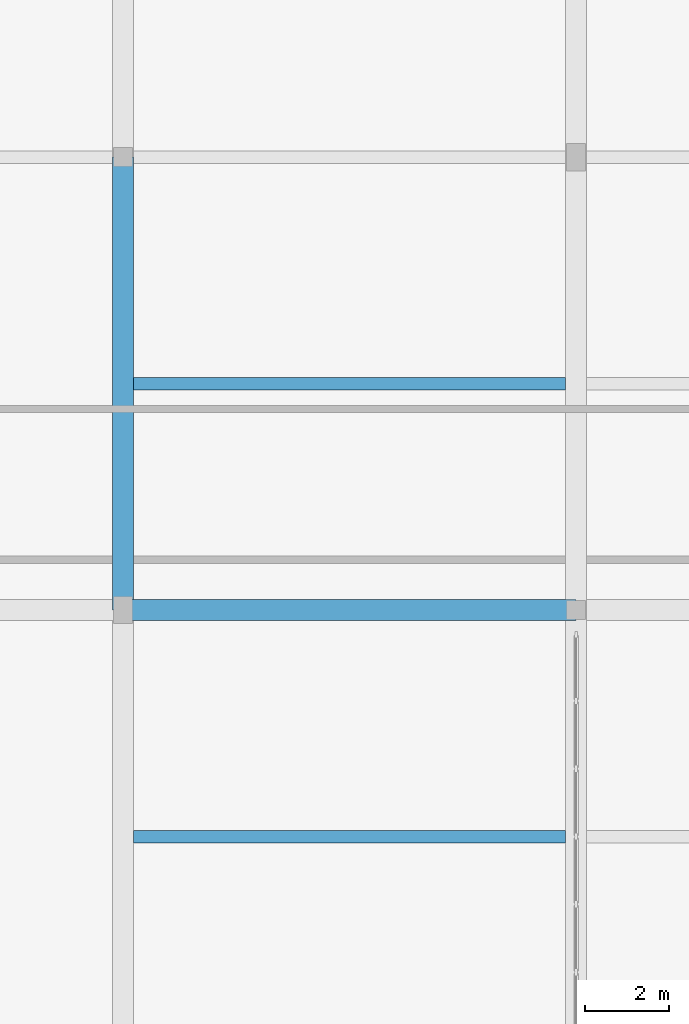
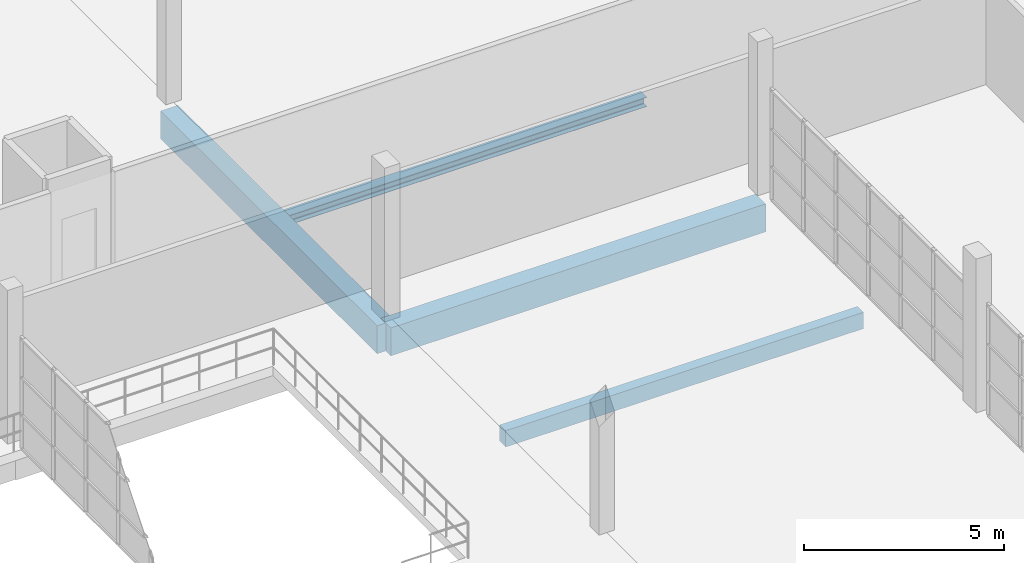
# One storey, part 33 of 142: 4 beams.
"""IFC4 building model written with IfcOpenShell, lengths in metres."""

from ifc_helpers import new_model, si_unit, direction, frame, origin, origin_2d, place, context, subcontext, project, spatial, rectangle, i_section, extrude, material, material_profile, profile_set, type_object, element, save


model = new_model("IFC4")

# Units and contexts
model_context = context("Model", 3, precision=1e-05, world=origin(), true_north=direction((0.0, 1.0)))
body_context = subcontext(model_context, "Body", "Model", "MODEL_VIEW")
ifc_project = project(units=[si_unit("LENGTHUNIT", "METRE"), si_unit("AREAUNIT", "SQUARE_METRE"), si_unit("VOLUMEUNIT", "CUBIC_METRE"), si_unit("PLANEANGLEUNIT", "RADIAN"), si_unit("MASSUNIT", "GRAM", prefix="KILO")], contexts=[model_context])

# Site, building, storey
site_placement = place(None, origin())
site = spatial("IfcSite", under=ifc_project, at=site_placement, CompositionType="ELEMENT")
building_placement = place(site_placement, origin())
building = spatial("IfcBuilding", under=site, at=building_placement, Name="Zwinboog Wholesale Market", CompositionType="ELEMENT")
storey_placement = place(building_placement, frame((0.0, 0.0, 5.39990234375)))
storey = spatial("IfcBuildingStorey", under=building, at=storey_placement, Name="L01", CompositionType="ELEMENT", Elevation=5.39990234375)

# Beams
ifc_material_1 = material(Name="Precast concrete C45/55", Category="concrete")
ifc_material_profile_1 = material_profile(ifc_material_1, rectangle(XDim=0.5, YDim=0.85009765625, at=origin_2d()), Name="PC 500x850")
ifc_profile_set_1 = profile_set([ifc_material_profile_1], Name="Precast concrete C45/55")
beam_type_1 = type_object("IfcBeamType", Name="BT-03", PredefinedType="BEAM", material=ifc_profile_set_1)
beam_1_placement = place(storey_placement, frame((21.60009765625, 86.39990234375, -0.72998046875), z_axis=(1.0, 0.0, 0.0), x_axis=(0.0, 1.0, 0.0)))
element("IfcBeam", 1, at=beam_1_placement, inside=storey, type_object=beam_type_1, Name="BG-03 (BMG-L01-0216-0864-0511)", PredefinedType="BEAM", context=body_context, shape_type="SweptSolid", body=[
    extrude(rectangle(XDim=0.5, YDim=0.85009765625, at=origin_2d()), origin(), (0.0, 0.0, 1.0), 10.7998046875),
])
beam_2_placement = place(storey_placement, frame((21.60009765625, 86.39990234375, -0.72998046875), z_axis=(0.0, 1.0, 0.0), x_axis=(-1.0, 0.0, 0.0)))
element("IfcBeam", 2, at=beam_2_placement, inside=storey, type_object=beam_type_1, Name="BG-03 (BMG-L01-0216-0864-0631)", PredefinedType="BEAM", context=body_context, shape_type="SweptSolid", body=[
    extrude(rectangle(XDim=0.5, YDim=0.85009765625, at=origin_2d()), origin(), (0.0, 0.0, 1.0), 10.800048828125),
])
ifc_material_profile_2 = material_profile(ifc_material_1, rectangle(XDim=0.300048828125, YDim=0.5, at=origin_2d()), Name="PC 300x500")
ifc_profile_set_2 = profile_set([ifc_material_profile_2], Name="Precast concrete C45/55")
beam_type_2 = type_object("IfcBeamType", Name="BT-10", PredefinedType="JOIST", material=ifc_profile_set_2)
beam_3_placement = place(storey_placement, frame((21.85009765625, 81.0, -0.554931640625), z_axis=(1.0, 0.0, 0.0), x_axis=(0.0, 1.0, 0.0)))
element("IfcBeam", 3, at=beam_3_placement, inside=storey, type_object=beam_type_2, Name="BJ-01 (BMG-L01-0218-0810-0801)", PredefinedType="JOIST", context=body_context, shape_type="SweptSolid", body=[
    extrude(rectangle(XDim=0.300048828125, YDim=0.5, at=origin_2d()), origin(), (0.0, 0.0, 1.0), 10.2998046875),
])
ifc_material_2 = material(Name="Steel S355", Category="steel")
ifc_material_profile_3 = material_profile(ifc_material_2, i_section(OverallWidth=0.300048828125, OverallDepth=0.2900390625, WebThickness=0.008544921875, FlangeThickness=0.013916015625, FilletRadius=0.027099609375, at=origin_2d()), Name="HEA 300")
ifc_profile_set_3 = profile_set([ifc_material_profile_3], Name="Steel S355")
beam_type_3 = type_object("IfcBeamType", Name="BT-18", PredefinedType="JOIST", material=ifc_profile_set_3)
beam_4_placement = place(storey_placement, frame((21.85009765625, 91.800048828125, -0.449951171875), z_axis=(1.0, 0.0, 0.0), x_axis=(0.0, 1.0, 0.0)))
element("IfcBeam", 4, at=beam_4_placement, inside=storey, type_object=beam_type_3, Name="SJ-01 (BMG-L01-0218-0918-0802)", PredefinedType="JOIST", context=body_context, shape_type="SweptSolid", body=[
    extrude(i_section(OverallWidth=0.300048828125, OverallDepth=0.2900390625, WebThickness=0.008544921875, FlangeThickness=0.013916015625, FilletRadius=0.027099609375, at=origin_2d()), origin(), (0.0, 0.0, 1.0), 10.2998046875),
])

save(model, "model.ifc")
